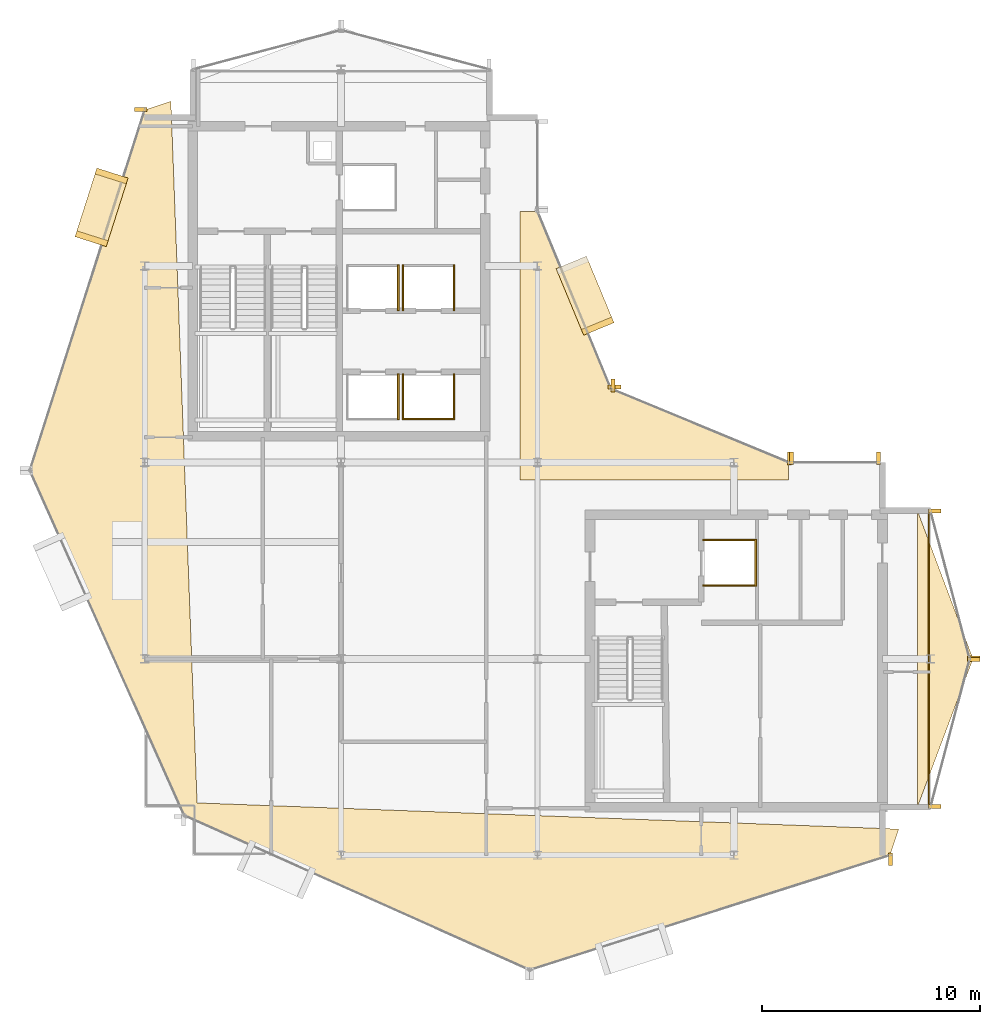
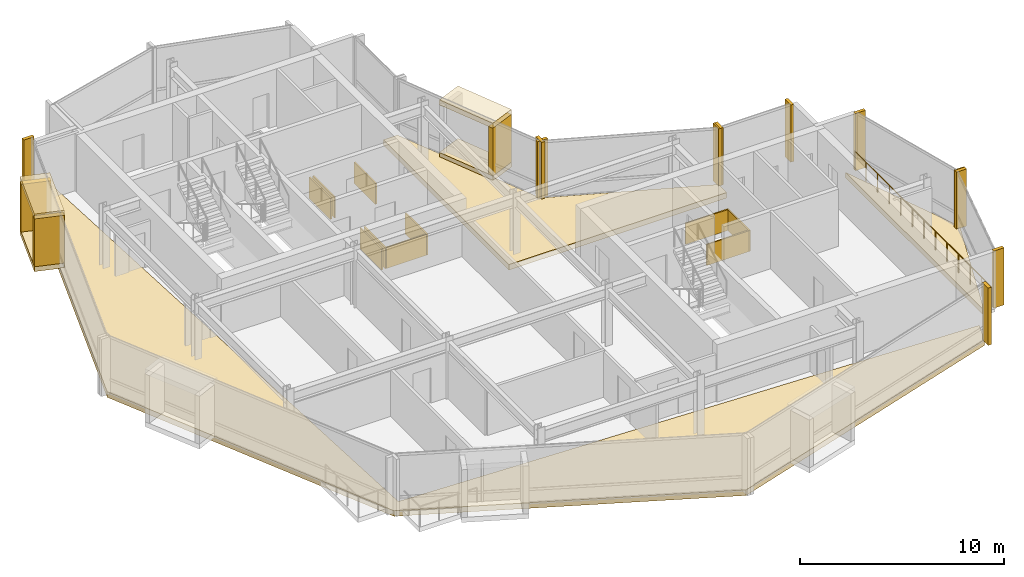
# One storey, part 18 of 19: 31 coverings, 1 railing.
"""IFC4 building model written with IfcOpenShell, lengths in metres."""

from ifc_helpers import new_model, si_unit, direction, frame, origin, origin_2d, place, context, subcontext, project, spatial, polyline, rectangle, circle, outline, extrude, material, layer, layer_set, type_object, element, save


model = new_model("IFC4")

# Units and contexts
model_context = context("Model", 3, precision=1e-05, world=origin(), true_north=direction((0.0, 1.0)))
body_context = subcontext(model_context, "Body", "Model", "MODEL_VIEW")
ifc_project = project(units=[si_unit("LENGTHUNIT", "METRE"), si_unit("AREAUNIT", "SQUARE_METRE"), si_unit("VOLUMEUNIT", "CUBIC_METRE"), si_unit("PLANEANGLEUNIT", "RADIAN"), si_unit("MASSUNIT", "GRAM", prefix="KILO")], contexts=[model_context])

# Site, building, storey
site_placement = place(None, origin())
site = spatial("IfcSite", under=ifc_project, at=site_placement, CompositionType="ELEMENT")
building_placement = place(site_placement, origin())
building = spatial("IfcBuilding", under=site, at=building_placement, Name="Solvaryn Broadcast Tower", CompositionType="ELEMENT")
storey_placement = place(building_placement, frame((0.0, 0.0, 248.199951171875)))
storey = spatial("IfcBuildingStorey", under=building, at=storey_placement, Name="L62", CompositionType="ELEMENT", Elevation=248.199951171875)

# Coverings
ifc_material_1 = material(Name="Fire-Rated Gypsum Shaftwall Liner", Category="concrete")
ifc_layer_1 = layer(ifc_material_1, 0.080078125)
ifc_layer_set_1 = layer_set([ifc_layer_1], Name="CV-SHAFT-LINER")
covering_type_1 = type_object("IfcCoveringType", Name="CV-SHAFT-LINER", PredefinedType="CLADDING", material=ifc_layer_set_1)
covering_1_placement = place(storey_placement, frame((20.614990234375, 30.0, 0.0), z_axis=(0.0, 0.0, 1.0), x_axis=(1.0, 0.0, 0.0)))
element("IfcCovering", 1, at=covering_1_placement, inside=storey, type_object=covering_type_1, Name="L62 PH1 Hoistway Shaft Liner East", PredefinedType="CLADDING", context=body_context, shape_type="SweptSolid", body=[
    extrude(rectangle(XDim=0.080078125, YDim=2.110107421875, at=origin_2d()), origin(), (0.0, 0.0, 1.0), 1.25),
])
covering_2_placement = place(storey_placement, frame((22.0, 28.985107421875, 0.0), z_axis=(0.0, 0.0, 1.0), x_axis=(1.0, 0.0, 0.0)))
element("IfcCovering", 2, at=covering_2_placement, inside=storey, type_object=covering_type_1, Name="L62 PH2 Hoistway Shaft Liner South", PredefinedType="CLADDING", context=body_context, shape_type="SweptSolid", body=[
    extrude(rectangle(XDim=2.409912109375, YDim=0.080078125, at=origin_2d()), origin(), (0.0, 0.0, 1.0), 1.25),
])
for number, where, z_axis, x_axis, name in (
    (3, (23.1650390625, 30.0, 0.0), (0.0, 0.0, 1.0), (1.0, 0.0, 0.0), "L62 PH2 Hoistway Shaft Liner East"),
    (4, (20.8349609375, 30.0, 0.0), (0.0, 0.0, 1.0), (1.0, 0.0, 0.0), "L62 PH2 Hoistway Shaft Liner West"),
    (5, (20.614990234375, 35.0, 0.0), (0.0, 0.0, 1.0), (1.0, 0.0, 0.0), "L62 PH3 Hoistway Shaft Liner East"),
    (6, (23.1650390625, 35.0, 0.0), (0.0, 0.0, 1.0), (1.0, 0.0, 0.0), "L62 PH4 Hoistway Shaft Liner East"),
    (7, (20.8349609375, 35.0, 0.0), (0.0, 0.0, 1.0), (1.0, 0.0, 0.0), "L62 PH4 Hoistway Shaft Liner West"),
):
    element("IfcCovering", number, at=place(storey_placement, frame(where, z_axis=z_axis, x_axis=x_axis)), inside=storey, type_object=covering_type_1, Name=name, PredefinedType="CLADDING", context=body_context, shape_type="SweptSolid", body=[
        extrude(rectangle(XDim=0.080078125, YDim=2.110107421875, at=origin_2d()), origin(), (0.0, 0.0, 1.0), 1.25),
    ])
for number, where, z_axis, x_axis, name in (
    (8, (35.800048828125, 23.43994140625, 0.0), (0.0, 0.0, 1.0), (1.0, 0.0, 0.0), "L62 FL2 Hoistway Shaft Liner North"),
    (9, (35.800048828125, 21.360107421875, 0.0), (0.0, 0.0, 1.0), (1.0, 0.0, 0.0), "L62 FL2 Hoistway Shaft Liner South"),
):
    element("IfcCovering", number, at=place(storey_placement, frame(where, z_axis=z_axis, x_axis=x_axis)), inside=storey, type_object=covering_type_1, Name=name, PredefinedType="CLADDING", context=body_context, shape_type="SweptSolid", body=[
        extrude(rectangle(XDim=2.4599609375, YDim=0.080078125, at=origin_2d()), origin(), (0.0, 0.0, 1.0), 1.25),
    ])
covering_3_placement = place(storey_placement, frame((36.989990234375, 22.39990234375, 0.0), z_axis=(0.0, 0.0, 1.0), x_axis=(1.0, 0.0, 0.0)))
element("IfcCovering", 10, at=covering_3_placement, inside=storey, type_object=covering_type_1, Name="L62 FL2 Hoistway Shaft Liner East", PredefinedType="CLADDING", context=body_context, shape_type="SweptSolid", body=[
    extrude(rectangle(XDim=0.080078125, YDim=2.159912109375, at=origin_2d()), origin(), (0.0, 0.0, 1.0), 1.25),
])
ifc_material_2 = material(Name="Glazed Architectural Terracotta Rainscreen Cladding", Category="masonry")
ifc_layer_2 = layer(ifc_material_2, 0.280029296875)
ifc_layer_set_2 = layer_set([ifc_layer_2], Name="CV-TC-CLAD")
covering_type_2 = type_object("IfcCoveringType", Name="CV-TC-CLAD", PredefinedType="CLADDING", material=ifc_layer_set_2)
for number, where, z_axis, x_axis, name in (
    (11, (7.02197265625, 38.68603515625, 3.1298828125), (0.0, 0.0, 1.0), (-0.303534206887, -0.952820541996, 0.0), "L62 Projecting Stone Window Box Hood 1"),
    (12, (7.02197265625, 38.68603515625, -0.009765625), (0.0, 0.0, 1.0), (-0.303534206887, -0.952820541996, 0.0), "L62 Projecting Stone Window Box Sill 1"),
):
    element("IfcCovering", number, at=place(storey_placement, frame(where, z_axis=z_axis, x_axis=x_axis)), inside=storey, type_object=covering_type_2, Name=name, PredefinedType="CLADDING", context=body_context, shape_type="SweptSolid", body=[
        extrude(rectangle(XDim=3.300048828125, YDim=1.5, at=origin_2d()), origin(), (0.0, 0.0, 1.0), 0.300048828125),
    ])
for number, where, z_axis, x_axis, name in (
    (13, (7.480224609375, 40.124755859375, 0.27978515625), (0.0, 0.0, 1.0), (-0.303534206887, -0.952820541996, 0.0), "L62 Projecting Stone Window Box Cheek 1-1"),
    (14, (6.563720703125, 37.247314453125, 0.27978515625), (0.0, 0.0, 1.0), (-0.303534206887, -0.952820541996, 0.0), "L62 Projecting Stone Window Box Cheek 1-2"),
):
    element("IfcCovering", number, at=place(storey_placement, frame(where, z_axis=z_axis, x_axis=x_axis)), inside=storey, type_object=covering_type_2, Name=name, PredefinedType="CLADDING", context=body_context, shape_type="SweptSolid", body=[
        extrude(rectangle(XDim=0.280029296875, YDim=1.5, at=origin_2d()), origin(), (0.0, 0.0, 1.0), 2.860107421875),
    ])
for number, where, z_axis, x_axis, name in (
    (15, (29.174072265625, 34.636962890625, 3.1298828125), (0.0, 0.0, 1.0), (-0.382683432365, 0.923879532511, 0.0), "L62 Projecting Stone Window Box Hood 5"),
    (16, (29.174072265625, 34.636962890625, -0.009765625), (0.0, 0.0, 1.0), (-0.382683432365, 0.923879532511, 0.0), "L62 Projecting Stone Window Box Sill 5"),
):
    element("IfcCovering", number, at=place(storey_placement, frame(where, z_axis=z_axis, x_axis=x_axis)), inside=storey, type_object=covering_type_2, Name=name, PredefinedType="CLADDING", context=body_context, shape_type="SweptSolid", body=[
        extrude(rectangle(XDim=3.300048828125, YDim=1.5, at=origin_2d()), origin(), (0.0, 0.0, 1.0), 0.300048828125),
    ])
covering_4_placement = place(storey_placement, frame((29.751953125, 33.241943359375, 0.27978515625), z_axis=(0.0, 0.0, 1.0), x_axis=(-0.382683432365, 0.923879532511, 0.0)))
element("IfcCovering", 17, at=covering_4_placement, inside=storey, type_object=covering_type_2, Name="L62 Projecting Stone Window Box Cheek 5-1", PredefinedType="CLADDING", context=body_context, shape_type="SweptSolid", body=[
    extrude(rectangle(XDim=0.280029296875, YDim=1.5, at=origin_2d()), origin(), (0.0, 0.0, 1.0), 2.860107421875),
])
ifc_material_3 = material(Name="Extruded Architectural Terracotta Fin", Category="masonry")
ifc_layer_3 = layer(ifc_material_3, 0.179931640625)
ifc_layer_set_3 = layer_set([ifc_layer_3], Name="CV-TC-FIN")
covering_type_3 = type_object("IfcCoveringType", Name="CV-TC-FIN", PredefinedType="USERDEFINED", material=ifc_layer_set_3)
covering_5_placement = place(storey_placement, frame((8.819091796875, 43.17529296875, 0.0), z_axis=(0.0, 0.0, 1.0), x_axis=(1.0, 0.0, 0.0)))
element("IfcCovering", 18, at=covering_5_placement, inside=storey, type_object=covering_type_3, Name="L62 Terracotta Vertical Fin FIN-L62-DR1-M00", ObjectType="FIN", PredefinedType="USERDEFINED", context=body_context, shape_type="SweptSolid", body=[
    extrude(rectangle(XDim=0.580078125, YDim=0.179931640625, at=origin_2d()), origin(), (0.0, 0.0, 1.0), 3.419921875),
])
for number, where, z_axis, x_axis, name in (
    (19, (43.17529296875, 8.819091796875, 0.0), (0.0, 0.0, 1.0), (1.0, 0.0, 0.0), "L62 Terracotta Vertical Fin FIN-L62-DR4-M01"),
    (20, (38.541259765625, 27.177978515625, 0.0), (0.0, 0.0, 1.0), (1.0, 0.0, 0.0), "L62 Terracotta Vertical Fin FIN-L62-CN1-M00"),
    (21, (30.464599609375, 30.52294921875, 0.0), (0.0, 0.0, 1.0), (1.0, 0.0, 0.0), "L62 Terracotta Vertical Fin FIN-L62-CN1-M01"),
):
    element("IfcCovering", number, at=place(storey_placement, frame(where, z_axis=z_axis, x_axis=x_axis)), inside=storey, type_object=covering_type_3, Name=name, ObjectType="FIN", PredefinedType="USERDEFINED", context=body_context, shape_type="SweptSolid", body=[
        extrude(rectangle(XDim=0.179931640625, YDim=0.580078125, at=origin_2d()), origin(), (0.0, 0.0, 1.0), 3.419921875),
    ])
for number, where, z_axis, x_axis, name in (
    (22, (30.52294921875, 30.464599609375, 0.0), (0.0, 0.0, 1.0), (1.0, 0.0, 0.0), "L62 Terracotta Vertical Fin FIN-L62-CN2-M00"),
    (23, (45.1953125, 24.77099609375, 0.0), (0.0, 0.0, 1.0), (1.0, 0.0, 0.0), "L62 Terracotta Vertical Fin FIN-L62-ET1-M00"),
    (24, (46.979736328125, 18.029052734375, 0.0), (0.0, 0.0, 1.0), (1.0, 0.0, 0.0), "L62 Terracotta Vertical Fin FIN-L62-ET1-M01"),
    (25, (46.979736328125, 17.970947265625, 0.0), (0.0, 0.0, 1.0), (1.0, 0.0, 0.0), "L62 Terracotta Vertical Fin FIN-L62-ET2-M00"),
    (26, (45.1953125, 11.22900390625, 0.0), (0.0, 0.0, 1.0), (1.0, 0.0, 0.0), "L62 Terracotta Vertical Fin FIN-L62-ET2-M01"),
):
    element("IfcCovering", number, at=place(storey_placement, frame(where, z_axis=z_axis, x_axis=x_axis)), inside=storey, type_object=covering_type_3, Name=name, ObjectType="FIN", PredefinedType="USERDEFINED", context=body_context, shape_type="SweptSolid", body=[
        extrude(rectangle(XDim=0.580078125, YDim=0.179931640625, at=origin_2d()), origin(), (0.0, 0.0, 1.0), 3.419921875),
    ])
for number, where, z_axis, x_axis, name in (
    (27, (38.6298828125, 27.1875, 0.0), (0.0, 0.0, 1.0), (1.0, 0.0, 0.0), "L62 Terracotta Vertical Fin FIN-L62-IH-M00"),
    (28, (42.6201171875, 27.1875, 0.0), (0.0, 0.0, 1.0), (1.0, 0.0, 0.0), "L62 Terracotta Vertical Fin FIN-L62-IH-M01"),
):
    element("IfcCovering", number, at=place(storey_placement, frame(where, z_axis=z_axis, x_axis=x_axis)), inside=storey, type_object=covering_type_3, Name=name, ObjectType="FIN", PredefinedType="USERDEFINED", context=body_context, shape_type="SweptSolid", body=[
        extrude(rectangle(XDim=0.179931640625, YDim=0.580078125, at=origin_2d()), origin(), (0.0, 0.0, 1.0), 3.419921875),
    ])
ifc_material_4 = material(Name="Sculpted Architectural Terracotta Wave Fascia", Category="masonry")
ifc_layer_4 = layer(ifc_material_4, 0.340087890625)
ifc_layer_set_4 = layer_set([ifc_layer_4], Name="CV-WAVE-TRAY")
covering_type_4 = type_object("IfcCoveringType", Name="CV-WAVE-TRAY", PredefinedType="CLADDING", material=ifc_layer_set_4)
covering_6_placement = place(storey_placement, frame((0.0, 0.0, -0.300048828125)))
element("IfcCovering", 29, at=covering_6_placement, inside=storey, type_object=covering_type_4, Name="L62 Stepped Cylindrical Drum Floor Apron", PredefinedType="CLADDING", context=body_context, shape_type="SweptSolid", body=[
    extrude(outline(polyline([(10.199951171875, 43.549072265625), (9.0, 43.14892578125), (3.738037109375, 26.635986328125), (10.81689453125, 10.81689453125), (26.635986328125, 3.738037109375), (43.14892578125, 9.0), (43.14892578125, 9.0), (43.549072265625, 10.199951171875), (11.39990234375, 11.39990234375), (10.199951171875, 43.549072265625)])), origin(), (0.0, 0.0, 1.0), 0.330078125),
])
covering_7_placement = place(storey_placement, frame((0.0, 0.0, -0.300048828125)))
element("IfcCovering", 30, at=covering_7_placement, inside=storey, type_object=covering_type_4, Name="L62 Concave Canyon Floor Apron", PredefinedType="CLADDING", context=body_context, shape_type="SweptSolid", body=[
    extrude(outline(polyline([(26.199951171875, 26.199951171875), (38.5, 26.199951171875), (38.5, 27.0), (30.367919921875, 30.367919921875), (27.0, 38.5), (26.199951171875, 38.5), (26.199951171875, 26.199951171875)])), origin(), (0.0, 0.0, 1.0), 0.330078125),
])
covering_8_placement = place(storey_placement, frame((0.0, 0.0, -0.300048828125)))
element("IfcCovering", 31, at=covering_8_placement, inside=storey, type_object=covering_type_4, Name="L62 East Curved Wing Deck", PredefinedType="CLADDING", context=body_context, shape_type="SweptSolid", body=[
    extrude(outline(polyline([(44.39990234375, 11.199951171875), (46.949951171875, 18.0), (44.39990234375, 24.800048828125), (44.39990234375, 11.199951171875)])), origin(), (0.0, 0.0, 1.0), 0.330078125),
])

# Railing
ifc_material_5 = material(Name="Stainless Steel and Laminated Glass Guard", Category="steel")
railing_type = type_object("IfcRailingType", Name="RL-TER-1150", PredefinedType="BALUSTRADE", material=ifc_material_5)
railing_placement = place(storey_placement, frame((44.919921875, 11.199951171875, 0.0)))
element("IfcRailing", 32, at=railing_placement, inside=storey, type_object=railing_type, Name="L62 East Wing Spandrel Edge Guard", PredefinedType="BALUSTRADE", context=body_context, shape_type="SweptSolid", body=[
    extrude(circle(Radius=0.02392578125, at=origin_2d()), frame((0.0, 0.0, 1.1259765625), z_axis=(0.0, 1.0, 0.0), x_axis=(-1.0, 0.0, 0.0)), (0.0, 0.0, 1.0), 13.60009765625),
    extrude(circle(Radius=0.02099609375, at=origin_2d()), origin(), (0.0, 0.0, 1.0), 1.101806640625),
    extrude(circle(Radius=0.02099609375, at=origin_2d()), frame((0.0, 1.13330078125, 0.0)), (0.0, 0.0, 1.0), 1.101806640625),
    extrude(circle(Radius=0.02099609375, at=origin_2d()), frame((0.0, 2.2666015625, 0.0)), (0.0, 0.0, 1.0), 1.101806640625),
    extrude(circle(Radius=0.02099609375, at=origin_2d()), frame((0.0, 3.39990234375, 0.0)), (0.0, 0.0, 1.0), 1.101806640625),
    extrude(circle(Radius=0.02099609375, at=origin_2d()), frame((0.0, 4.533447265625, 0.0)), (0.0, 0.0, 1.0), 1.101806640625),
    extrude(circle(Radius=0.02099609375, at=origin_2d()), frame((0.0, 5.666748046875, 0.0)), (0.0, 0.0, 1.0), 1.101806640625),
    extrude(circle(Radius=0.02099609375, at=origin_2d()), frame((0.0, 6.800048828125, 0.0)), (0.0, 0.0, 1.0), 1.101806640625),
    extrude(circle(Radius=0.02099609375, at=origin_2d()), frame((0.0, 7.933349609375, 0.0)), (0.0, 0.0, 1.0), 1.101806640625),
    extrude(circle(Radius=0.02099609375, at=origin_2d()), frame((0.0, 9.066650390625, 0.0)), (0.0, 0.0, 1.0), 1.101806640625),
    extrude(circle(Radius=0.02099609375, at=origin_2d()), frame((0.0, 10.2001953125, 0.0)), (0.0, 0.0, 1.0), 1.101806640625),
    extrude(circle(Radius=0.02099609375, at=origin_2d()), frame((0.0, 11.33349609375, 0.0)), (0.0, 0.0, 1.0), 1.101806640625),
    extrude(circle(Radius=0.02099609375, at=origin_2d()), frame((0.0, 12.466796875, 0.0)), (0.0, 0.0, 1.0), 1.101806640625),
    extrude(circle(Radius=0.02099609375, at=origin_2d()), frame((0.0, 13.60009765625, 0.0)), (0.0, 0.0, 1.0), 1.101806640625),
])

save(model, "model.ifc")
